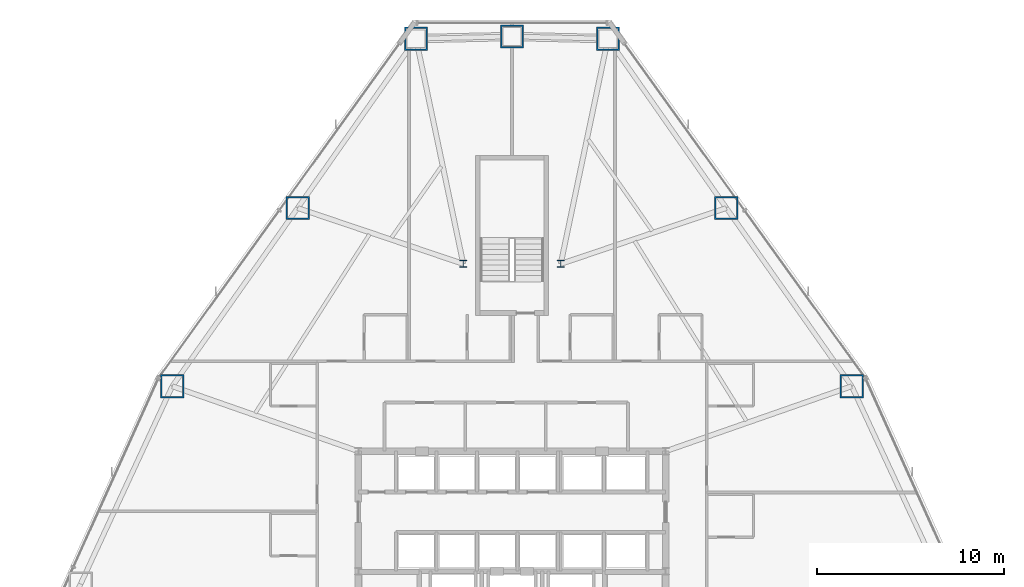
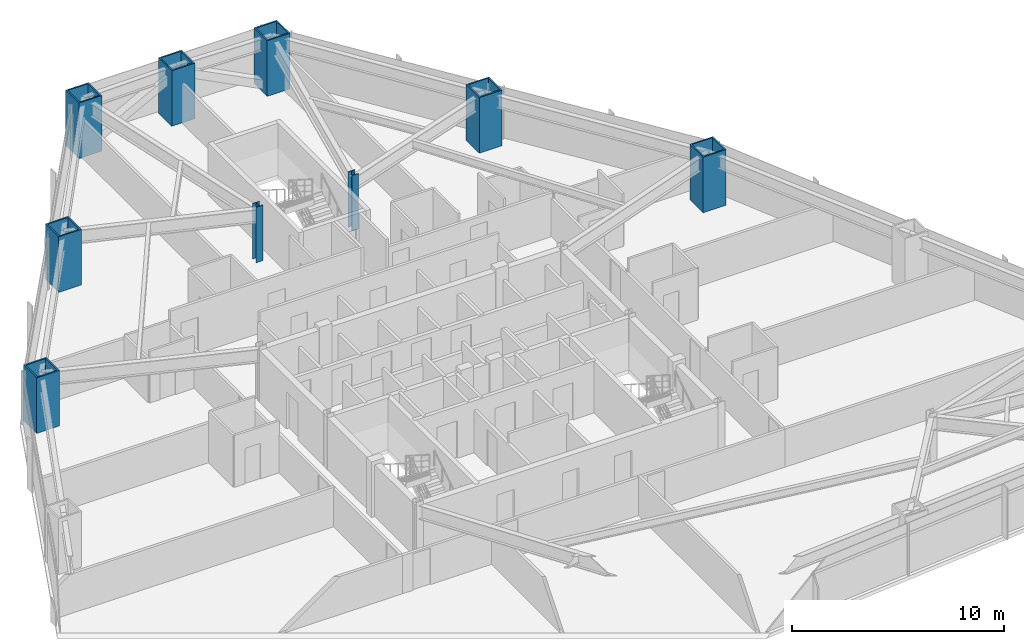
# One storey, part 3 of 12: 9 columns.
"""IFC4 building model written with IfcOpenShell, lengths in metres."""

import ifcopenshell
import ifcopenshell.guid

model = None  # the IFC model being written
_history = None  # IfcOwnerHistory: only IFC2X3 demands one
_inside = {}  # id of a spatial element -> (the spatial element, [elements in it])
_under = {}  # id of a project, library or spatial element -> (it, [spatial elements below it])
_declared = {}  # id of a project -> (the project, [libraries it declares])
_typed = {}  # id of a type object -> (the type object, [elements of that type])
_made_of = {}  # id of a material, layer set ... -> (it, [elements and type objects made of it])


def new_model(schema):
    """Start an empty IFC model of exactly this schema.

    Asked for "IFC4X3", IfcOpenShell would pick the latest addendum, in which some entities
    have other attributes; the version numbers below select the first issue.
    IFC2X3 requires an IfcOwnerHistory on every rooted entity: one is made here for all.
    """
    global model, _history
    if schema == "IFC4X3":
        model = ifcopenshell.file(schema_version=(4, 3, 0, 0))
    else:
        model = ifcopenshell.file(schema=schema)
    _inside.clear()
    _under.clear()
    _declared.clear()
    _typed.clear()
    _made_of.clear()
    _history = None
    if model.schema == "IFC2X3":
        org = make("IfcOrganization", Name="unknown")
        user = make(
            "IfcPersonAndOrganization",
            ThePerson=make("IfcPerson", FamilyName="unknown"),
            TheOrganization=org,
        )
        app = make(
            "IfcApplication",
            ApplicationDeveloper=org,
            Version="unknown",
            ApplicationFullName="unknown",
            ApplicationIdentifier="unknown",
        )
        _history = make(
            "IfcOwnerHistory",
            OwningUser=user,
            OwningApplication=app,
            ChangeAction="ADDED",
            CreationDate=0,
        )
    return model


def make(cls, **values):
    """One entity of the class cls with the attributes given. An attribute that is None is left unset."""
    return model.create_entity(
        cls, **{name: value for name, value in values.items() if value is not None}
    )


def rooted(cls, **values):
    """An entity with a GlobalId (a new one), such as an element, a storey or a relation."""
    return make(cls, GlobalId=ifcopenshell.guid.new(), OwnerHistory=_history, **values)


def si_unit(unit_type, name, prefix=None):
    """IfcSIUnit, for example si_unit("LENGTHUNIT", "METRE", prefix="MILLI")."""
    return make("IfcSIUnit", UnitType=unit_type, Prefix=prefix, Name=name)


def assignment(units):
    """IfcUnitAssignment: the units of a project."""
    return None if units is None else make("IfcUnitAssignment", Units=units)


def point(xyz):
    """IfcCartesianPoint."""
    return None if xyz is None else make("IfcCartesianPoint", Coordinates=xyz)


def direction(xyz):
    """IfcDirection."""
    return None if xyz is None else make("IfcDirection", DirectionRatios=xyz)


def frame(location, z_axis=None, x_axis=None):
    """IfcAxis2Placement3D, a coordinate frame: its origin and axes. An axis left out is left unset."""
    return make(
        "IfcAxis2Placement3D",
        Location=point(location),
        Axis=direction(z_axis),
        RefDirection=direction(x_axis),
    )


def frame_2d(location, x_axis=None):
    """IfcAxis2Placement2D, a coordinate frame in the plane: its origin and x axis."""
    return make(
        "IfcAxis2Placement2D", Location=point(location), RefDirection=direction(x_axis)
    )


def origin():
    """The frame at (0, 0, 0) with its axes left unset."""
    return frame((0.0, 0.0, 0.0))


def origin_2d():
    """The frame at (0, 0) in the plane with its x axis left unset."""
    return frame_2d((0.0, 0.0))


def place(relative_to, where):
    """IfcLocalPlacement: puts the frame where relative to a parent placement (None: the world)."""
    return make(
        "IfcLocalPlacement", PlacementRelTo=relative_to, RelativePlacement=where
    )


def context(
    kind, dimensions, precision=None, world=None, true_north=None, identifier=None
):
    """IfcGeometricRepresentationContext, for example the 3D "Model" context."""
    return make(
        "IfcGeometricRepresentationContext",
        ContextIdentifier=identifier,
        ContextType=kind,
        CoordinateSpaceDimension=dimensions,
        Precision=precision,
        WorldCoordinateSystem=world,
        TrueNorth=true_north,
    )


def subcontext(parent, identifier, kind, view, scale=None):
    """IfcGeometricRepresentationSubContext, for example "Body" below "Model"."""
    return make(
        "IfcGeometricRepresentationSubContext",
        ContextIdentifier=identifier,
        ContextType=kind,
        ParentContext=parent,
        TargetScale=scale,
        TargetView=view,
    )


def project(units=None, contexts=None):
    """IfcProject with its units and contexts."""
    return rooted(
        "IfcProject",
        Name="project",
        RepresentationContexts=contexts,
        UnitsInContext=assignment(units),
    )


def spatial(cls, under=None, at=None, **own):
    """A site, building, storey or space (cls), placed at a placement, below another one or the project."""
    s = rooted(cls, ObjectPlacement=at, **own)
    if under is not None:
        _under.setdefault(under.id(), (under, []))[1].append(s)
    return s


def profile(cls, at=None, kind="AREA", **sizes):
    """A parametric profile (cls). Its sizes go by their IFC names, for example OverallWidth=200.0."""
    return make(cls, ProfileType=kind, Position=at, **sizes)


def hollow_rectangle(**sizes):
    """IfcRectangleHollowProfileDef."""
    return profile("IfcRectangleHollowProfileDef", **sizes)


def i_section(**sizes):
    """IfcIShapeProfileDef."""
    return profile("IfcIShapeProfileDef", **sizes)


def extrude(swept, where, along, depth):
    """IfcExtrudedAreaSolid: the profile swept, set in the frame where, extruded along a direction by depth."""
    return make(
        "IfcExtrudedAreaSolid",
        SweptArea=swept,
        Position=where,
        ExtrudedDirection=direction(along),
        Depth=depth,
    )


def shape(context_of_items, identifier, shape_type, items):
    """IfcShapeRepresentation: the items that make up one representation, for example the "Body"."""
    return make(
        "IfcShapeRepresentation",
        ContextOfItems=context_of_items,
        RepresentationIdentifier=identifier,
        RepresentationType=shape_type,
        Items=items,
    )


def material(Name=None, Category=None):
    """IfcMaterial."""
    return make("IfcMaterial", Name=Name, Category=Category)


def material_profile(
    of_material, cross_section, Name=None, Category=None, Priority=None
):
    """IfcMaterialProfile: a cross section and its material."""
    return make(
        "IfcMaterialProfile",
        Name=Name,
        Material=of_material,
        Profile=cross_section,
        Priority=Priority,
        Category=Category,
    )


def profile_set(profiles, Name=None, composite=None):
    """IfcMaterialProfileSet."""
    return make(
        "IfcMaterialProfileSet",
        Name=Name,
        MaterialProfiles=profiles,
        CompositeProfile=composite,
    )


def made_of(thing, what):
    """Note that an element or type object is made of a material, layer set ...; save() writes the relation."""
    if what is not None:
        _made_of.setdefault(what.id(), (what, []))[1].append(thing)
    return thing


def type_object(cls, material=None, **own):
    """A type object (cls), such as IfcWallType, which elements share."""
    return made_of(rooted(cls, **own), material)


def element(
    cls,
    number,
    at=None,
    inside=None,
    cuts=None,
    type_object=None,
    material=None,
    context=None,
    identifier="Body",
    shape_type=None,
    held_by="IfcProductDefinitionShape",
    body=None,
    shapes=None,
    **own,
):
    """One element of the class cls, such as IfcWall. Its Tag is "e" and its number.

    at: its placement. inside: the storey or other place that contains it. cuts: it is an
    opening in that element (IfcRelVoidsElement). A single representation is given by context,
    identifier, shape_type and body (its items); several are given by shapes. held_by: the class
    of the entity that holds the representations. save() writes the other relations.
    """
    e = rooted(cls, Tag="e%d" % number, ObjectPlacement=at, **own)
    if body is not None:
        shapes = [shape(context, identifier, shape_type, body)]
    if shapes is not None:
        e.Representation = make(held_by, Representations=shapes)
    if inside is not None:
        _inside.setdefault(inside.id(), (inside, []))[1].append(e)
    if cuts is not None:
        rooted(
            "IfcRelVoidsElement", RelatingBuildingElement=cuts, RelatedOpeningElement=e
        )
    if type_object is not None:
        _typed.setdefault(type_object.id(), (type_object, []))[1].append(e)
    return made_of(e, material)


def aggregate(whole, parts):
    """IfcRelAggregates: a whole, such as a stair, and the parts it consists of."""
    return rooted("IfcRelAggregates", RelatingObject=whole, RelatedObjects=parts)


def save(model, path):
    """Write the relations noted so far, then the file.

    IfcRelAggregates (storeys below a building ...), IfcRelContainedInSpatialStructure (elements
    in a storey), IfcRelDefinesByType, IfcRelAssociatesMaterial and IfcRelDeclares: one each for
    every whole, place, type object, material and project.
    """
    for whole, parts in _under.values():
        aggregate(whole, parts)
    for where, things in _inside.values():
        rooted(
            "IfcRelContainedInSpatialStructure",
            RelatedElements=things,
            RelatingStructure=where,
        )
    for kind, things in _typed.values():
        rooted("IfcRelDefinesByType", RelatedObjects=things, RelatingType=kind)
    for what, things in _made_of.values():
        rooted("IfcRelAssociatesMaterial", RelatedObjects=things, RelatingMaterial=what)
    for by, libraries in _declared.values():
        rooted("IfcRelDeclares", RelatingContext=by, RelatedDefinitions=libraries)
    model.write(path)


model = new_model("IFC4")

# Units and contexts
model_context = context("Model", 3, precision=1e-05, world=origin(), true_north=direction((0.0, 1.0)))
body_context = subcontext(model_context, "Body", "Model", "MODEL_VIEW")
ifc_project = project(units=[si_unit("LENGTHUNIT", "METRE"), si_unit("AREAUNIT", "SQUARE_METRE"), si_unit("VOLUMEUNIT", "CUBIC_METRE"), si_unit("PLANEANGLEUNIT", "RADIAN"), si_unit("MASSUNIT", "GRAM", prefix="KILO")], contexts=[model_context])

# Site, building, storey
site_placement = place(None, origin())
site = spatial("IfcSite", under=ifc_project, at=site_placement, CompositionType="ELEMENT")
building_placement = place(site_placement, origin())
building = spatial("IfcBuilding", under=site, at=building_placement, Name="Varakhsha Concourse Tower", CompositionType="ELEMENT")
storey_placement = place(building_placement, frame((0.0, 0.0, 33.60009765625)))
storey = spatial("IfcBuildingStorey", under=building, at=storey_placement, Name="L08", CompositionType="ELEMENT", Elevation=33.60009765625)

# Columns
ifc_material_1 = material(Name="Structural Steel ASTM A992 Grade 50", Category="steel")
ifc_material_profile_1 = material_profile(ifc_material_1, i_section(OverallWidth=0.3740234375, OverallDepth=0.3720703125, WebThickness=0.01611328125, FlangeThickness=0.02587890625, at=origin_2d()), Name="W14X132")
ifc_profile_set_1 = profile_set([ifc_material_profile_1], Name="Structural Steel ASTM A992 Grade 50")
column_type_1 = type_object("IfcColumnType", Name="CL-CORE-W14X132", PredefinedType="COLUMN", material=ifc_profile_set_1)
for number, where, z_axis, x_axis, name in (
    (1, (37.39990234375, 41.199951171875, 0.0), (0.0, 0.0, 1.0), (1.0, 0.0, 0.0), "L08 Core Column NS-W"),
    (2, (42.60009765625, 41.199951171875, 0.0), (0.0, 0.0, 1.0), (1.0, 0.0, 0.0), "L08 Core Column NS-E"),
):
    element("IfcColumn", number, at=place(storey_placement, frame(where, z_axis=z_axis, x_axis=x_axis)), inside=storey, type_object=column_type_1, Name=name, PredefinedType="COLUMN", context=body_context, shape_type="SweptSolid", body=[
        extrude(i_section(OverallWidth=0.3740234375, OverallDepth=0.3720703125, WebThickness=0.01611328125, FlangeThickness=0.02587890625, at=origin_2d()), origin(), (0.0, 0.0, 1.0), 3.199951171875),
    ])
ifc_material_2 = material(Name="Structural Steel ASTM A572 Grade 50", Category="steel")
ifc_material_profile_2 = material_profile(ifc_material_2, hollow_rectangle(XDim=1.25, YDim=1.25, WallThickness=0.080078125, at=origin_2d()), Name="BOX 1250x1250x80")
ifc_profile_set_2 = profile_set([ifc_material_profile_2], Name="Structural Steel ASTM A572 Grade 50")
column_type_2 = type_object("IfcColumnType", Name="CL-TUBE-1250", PredefinedType="COLUMN", material=ifc_profile_set_2)
for number, where, z_axis, x_axis, name in (
    (3, (45.1240234375, 53.223388671875, 0.0), (0.0, 0.0, 1.0), (1.0, 0.0, 0.0), "L08 Framed-Tube Column TC01"),
    (4, (40.0, 53.340087890625, 0.0), (0.0, 0.0, 1.0), (1.0, 0.0, 0.0), "L08 Framed-Tube Column TC02"),
    (5, (34.8759765625, 53.223388671875, 0.0), (0.0, 0.0, 1.0), (1.0, 0.0, 0.0), "L08 Framed-Tube Column TC03"),
    (6, (28.55859375, 44.183837890625, 0.0), (0.0, 0.0, 1.0), (1.0, 0.0, 0.0), "L08 Framed-Tube Column TC04"),
    (7, (21.865478515625, 34.669921875, 0.0), (0.0, 0.0, 1.0), (1.0, 0.0, 0.0), "L08 Framed-Tube Column TC05"),
    (8, (58.134521484375, 34.669921875, 0.0), (0.0, 0.0, 1.0), (1.0, 0.0, 0.0), "L08 Framed-Tube Column TC17"),
    (9, (51.44140625, 44.183837890625, 0.0), (0.0, 0.0, 1.0), (1.0, 0.0, 0.0), "L08 Framed-Tube Column TC18"),
):
    element("IfcColumn", number, at=place(storey_placement, frame(where, z_axis=z_axis, x_axis=x_axis)), inside=storey, type_object=column_type_2, Name=name, PredefinedType="COLUMN", context=body_context, shape_type="SweptSolid", body=[
        extrude(hollow_rectangle(XDim=1.25, YDim=1.25, WallThickness=0.080078125, at=origin_2d()), origin(), (0.0, 0.0, 1.0), 3.199951171875),
    ])

save(model, "model.ifc")
